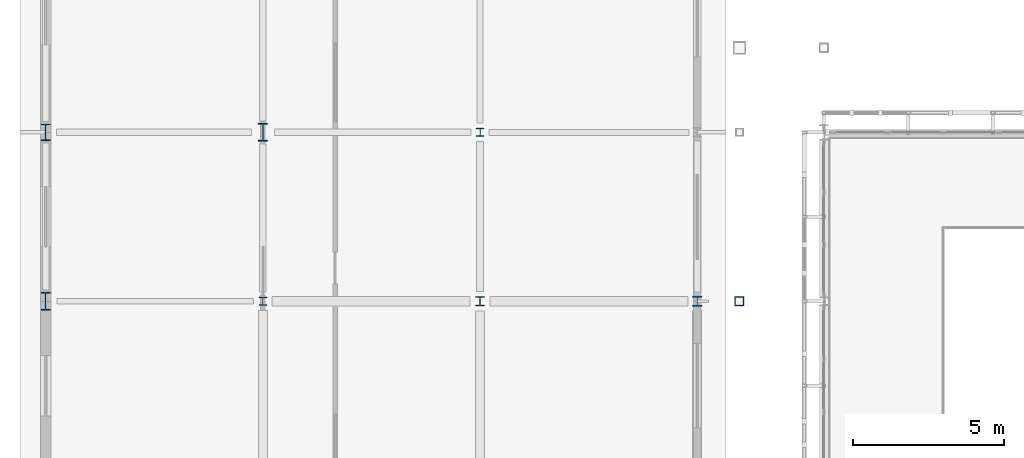
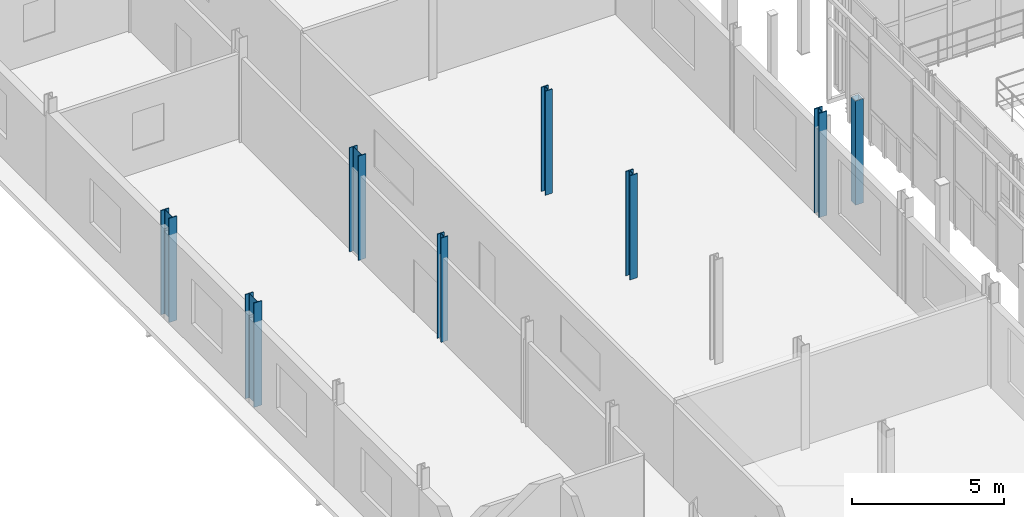
# One storey, part 7 of 138: 8 columns.
"""IFC4 building model written with IfcOpenShell, lengths in metres."""

from ifc_helpers import new_model, si_unit, direction, frame, origin, origin_2d, place, context, subcontext, project, spatial, hollow_rectangle, i_section, extrude, material, material_profile, profile_set, type_object, element, save


model = new_model("IFC4")

# Units and contexts
model_context = context("Model", 3, precision=1e-05, world=origin(), true_north=direction((0.0, 1.0)))
body_context = subcontext(model_context, "Body", "Model", "MODEL_VIEW")
ifc_project = project(units=[si_unit("LENGTHUNIT", "METRE"), si_unit("AREAUNIT", "SQUARE_METRE"), si_unit("VOLUMEUNIT", "CUBIC_METRE"), si_unit("PLANEANGLEUNIT", "RADIAN"), si_unit("MASSUNIT", "GRAM", prefix="KILO")], contexts=[model_context])

# Site, building, storey
site_placement = place(None, origin())
site = spatial("IfcSite", under=ifc_project, at=site_placement, CompositionType="ELEMENT")
building_placement = place(site_placement, origin())
building = spatial("IfcBuilding", under=site, at=building_placement, Name="Vinh Khe Railworks Police Headquarters", CompositionType="ELEMENT")
storey_placement = place(building_placement, frame((0.0, 0.0, 9.0)))
storey = spatial("IfcBuildingStorey", under=building, at=storey_placement, Name="L02", CompositionType="ELEMENT", Elevation=9.0)

# Columns
ifc_material = material(Name="Steel S355JR", Category="steel")
ifc_material_profile_1 = material_profile(ifc_material, i_section(OverallWidth=0.300048828125, OverallDepth=0.550048828125, WebThickness=0.014892578125, FlangeThickness=0.029052734375, FilletRadius=0.027099609375, at=origin_2d()), Name="HEB 550")
ifc_profile_set_1 = profile_set([ifc_material_profile_1], Name="Steel S355JR")
column_type_1 = type_object("IfcColumnType", Name="Steel Column HEB 550", PredefinedType="COLUMN", material=ifc_profile_set_1)
column_1_placement = place(storey_placement, frame((0.60009765625, 58.800048828125, 0.0), z_axis=(0.0, 0.0, 1.0), x_axis=(1.0, 0.0, 0.0)))
element("IfcColumn", 1, at=column_1_placement, inside=storey, type_object=column_type_1, Name="Column COL-L02-SC-05-0080", PredefinedType="COLUMN", context=body_context, shape_type="SweptSolid", body=[
    extrude(i_section(OverallWidth=0.300048828125, OverallDepth=0.550048828125, WebThickness=0.014892578125, FlangeThickness=0.029052734375, FilletRadius=0.027099609375, at=origin_2d()), origin(), (0.0, 0.0, 1.0), 4.199951171875),
])
ifc_material_profile_2 = material_profile(ifc_material, i_section(OverallWidth=0.300048828125, OverallDepth=0.60009765625, WebThickness=0.015380859375, FlangeThickness=0.030029296875, FilletRadius=0.027099609375, at=origin_2d()), Name="HEB 600")
ifc_profile_set_2 = profile_set([ifc_material_profile_2], Name="Steel S355JR")
column_type_2 = type_object("IfcColumnType", Name="Steel Column HEB 600", PredefinedType="COLUMN", material=ifc_profile_set_2)
for number, where, z_axis, x_axis, name in (
    (2, (0.60009765625, 53.199951171875, 0.0), (0.0, 0.0, 1.0), (1.0, 0.0, 0.0), "Column COL-L02-SC-04-0070"),
    (3, (7.800048828125, 58.800048828125, 0.0), (0.0, 0.0, 1.0), (1.0, 0.0, 0.0), "Column COL-L02-SC-04-0247"),
):
    element("IfcColumn", number, at=place(storey_placement, frame(where, z_axis=z_axis, x_axis=x_axis)), inside=storey, type_object=column_type_2, Name=name, PredefinedType="COLUMN", context=body_context, shape_type="SweptSolid", body=[
        extrude(i_section(OverallWidth=0.300048828125, OverallDepth=0.60009765625, WebThickness=0.015380859375, FlangeThickness=0.030029296875, FilletRadius=0.027099609375, at=origin_2d()), origin(), (0.0, 0.0, 1.0), 4.199951171875),
    ])
ifc_material_profile_3 = material_profile(ifc_material, i_section(OverallWidth=0.26806640625, OverallDepth=0.2900390625, WebThickness=0.01806640625, FlangeThickness=0.032470703125, FilletRadius=0.02392578125, at=origin_2d()), Name="HEM 260")
ifc_profile_set_3 = profile_set([ifc_material_profile_3], Name="Steel S355JR")
column_type_3 = type_object("IfcColumnType", Name="Steel Column HEM 260", PredefinedType="COLUMN", material=ifc_profile_set_3)
for number, where, z_axis, x_axis, name in (
    (4, (7.800048828125, 53.199951171875, 0.0), (0.0, 0.0, 1.0), (1.0, 0.0, 0.0), "Column COL-L02-SC-03-0237"),
    (5, (15.0, 58.800048828125, 0.0), (0.0, 0.0, 1.0), (1.0, 0.0, 0.0), "Column COL-L02-SC-03-0414"),
):
    element("IfcColumn", number, at=place(storey_placement, frame(where, z_axis=z_axis, x_axis=x_axis)), inside=storey, type_object=column_type_3, Name=name, PredefinedType="COLUMN", context=body_context, shape_type="SweptSolid", body=[
        extrude(i_section(OverallWidth=0.26806640625, OverallDepth=0.2900390625, WebThickness=0.01806640625, FlangeThickness=0.032470703125, FilletRadius=0.02392578125, at=origin_2d()), origin(), (0.0, 0.0, 1.0), 4.199951171875),
    ])
ifc_material_profile_4 = material_profile(ifc_material, i_section(OverallWidth=0.2880859375, OverallDepth=0.31005859375, WebThickness=0.0185546875, FlangeThickness=0.032958984375, FilletRadius=0.02392578125, at=origin_2d()), Name="HEM 280")
ifc_profile_set_4 = profile_set([ifc_material_profile_4], Name="Steel S355JR")
column_type_4 = type_object("IfcColumnType", Name="Steel Column HEM 280", PredefinedType="COLUMN", material=ifc_profile_set_4)
column_2_placement = place(storey_placement, frame((15.0, 53.199951171875, 0.0), z_axis=(0.0, 0.0, 1.0), x_axis=(1.0, 0.0, 0.0)))
element("IfcColumn", 6, at=column_2_placement, inside=storey, type_object=column_type_4, Name="Column COL-L02-SC-02-0404", PredefinedType="COLUMN", context=body_context, shape_type="SweptSolid", body=[
    extrude(i_section(OverallWidth=0.2880859375, OverallDepth=0.31005859375, WebThickness=0.0185546875, FlangeThickness=0.032958984375, FilletRadius=0.02392578125, at=origin_2d()), origin(), (0.0, 0.0, 1.0), 4.199951171875),
])
ifc_material_profile_5 = material_profile(ifc_material, i_section(OverallWidth=0.31005859375, OverallDepth=0.340087890625, WebThickness=0.02099609375, FlangeThickness=0.0390625, FilletRadius=0.027099609375, at=origin_2d()), Name="HEM 300")
ifc_profile_set_5 = profile_set([ifc_material_profile_5], Name="Steel S355JR")
column_type_5 = type_object("IfcColumnType", Name="Steel Column HEM 300", PredefinedType="COLUMN", material=ifc_profile_set_5)
column_3_placement = place(storey_placement, frame((22.199951171875, 53.199951171875, 0.0), z_axis=(0.0, 0.0, 1.0), x_axis=(1.0, 0.0, 0.0)))
element("IfcColumn", 7, at=column_3_placement, inside=storey, type_object=column_type_5, Name="Column COL-L02-SC-01-0565", PredefinedType="COLUMN", context=body_context, shape_type="SweptSolid", body=[
    extrude(i_section(OverallWidth=0.31005859375, OverallDepth=0.340087890625, WebThickness=0.02099609375, FlangeThickness=0.0390625, FilletRadius=0.027099609375, at=origin_2d()), origin(), (0.0, 0.0, 1.0), 4.199951171875),
])
ifc_material_profile_6 = material_profile(ifc_material, hollow_rectangle(XDim=0.300048828125, YDim=0.300048828125, WallThickness=0.01611328125, at=origin_2d()), Name="SHS 300x300x16")
ifc_profile_set_6 = profile_set([ifc_material_profile_6], Name="Steel S355JR")
column_type_6 = type_object("IfcColumnType", Name="Steel Column SHS 300x300x16", PredefinedType="COLUMN", material=ifc_profile_set_6)
column_4_placement = place(storey_placement, frame((23.60009765625, 53.199951171875, 0.0), z_axis=(0.0, 0.0, 1.0), x_axis=(1.0, 0.0, 0.0)))
element("IfcColumn", 8, at=column_4_placement, inside=storey, type_object=column_type_6, Name="Column COL-L02-SC-23-0688", PredefinedType="COLUMN", context=body_context, shape_type="SweptSolid", body=[
    extrude(hollow_rectangle(XDim=0.300048828125, YDim=0.300048828125, WallThickness=0.01611328125, at=origin_2d()), origin(), (0.0, 0.0, 1.0), 4.199951171875),
])

save(model, "model.ifc")
